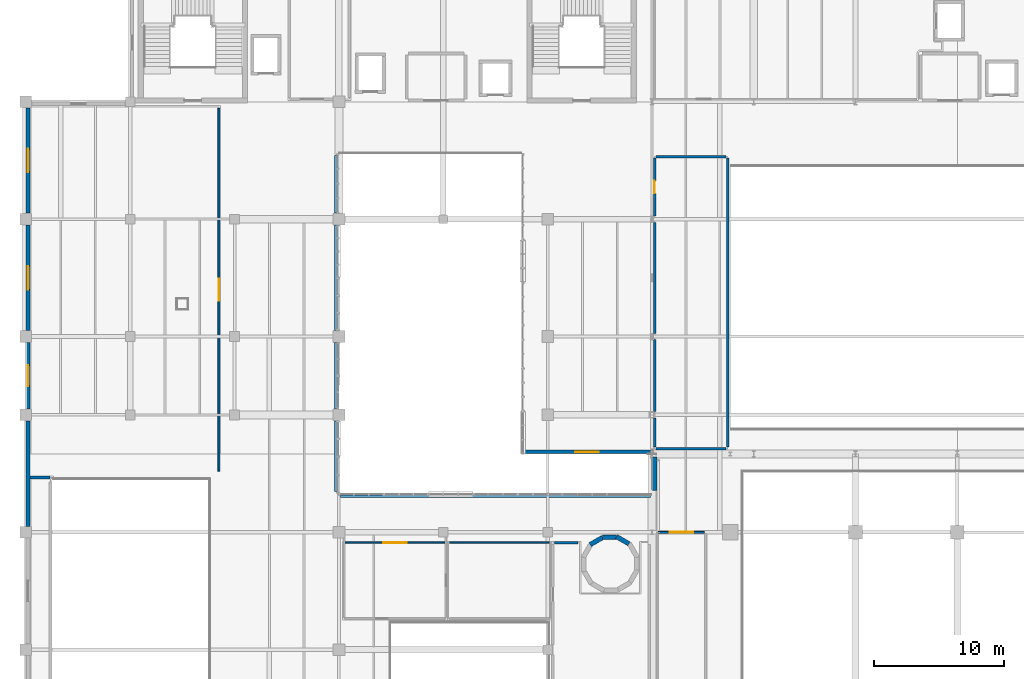
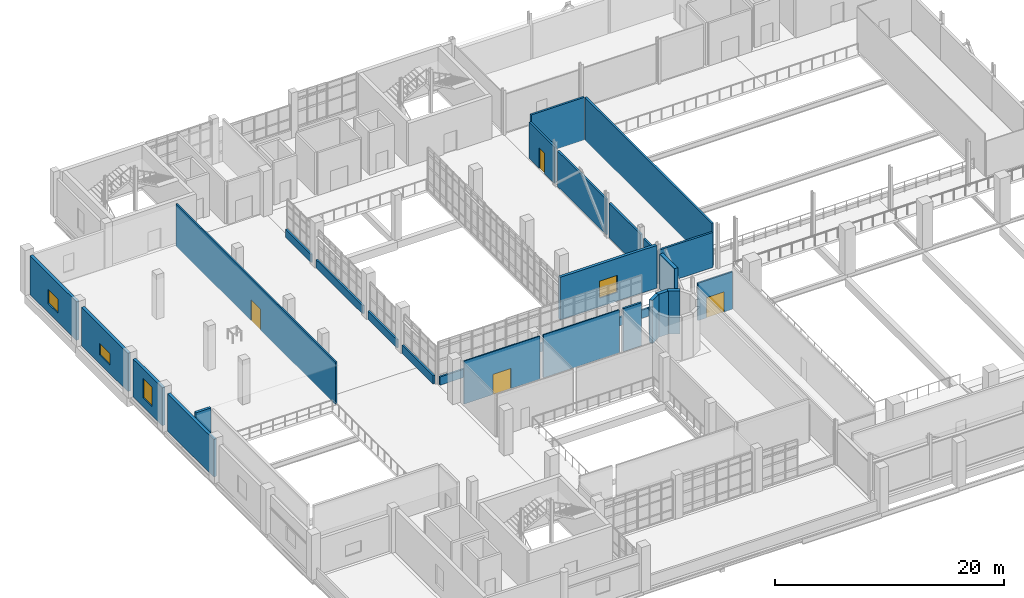
# One storey, part 91 of 102: 27 walls, 4 doors, 4 windows, 8 openings.
"""IFC4 building model written with IfcOpenShell, lengths in metres."""

from ifc_helpers import new_model, si_unit, derived_unit, direction, frame, frame_2d, origin, place, context, subcontext, project, spatial, rectangle, extrude, material, layer, layer_set, type_object, element, fill, save


model = new_model("IFC4")

# Units and contexts
model_context = context("Model", 3, precision=1e-05, world=origin(), true_north=direction((0.0, 1.0)))
body_context = subcontext(model_context, "Body", "Model", "MODEL_VIEW")
ifc_project = project(units=[si_unit("LENGTHUNIT", "METRE"), si_unit("AREAUNIT", "SQUARE_METRE"), si_unit("VOLUMEUNIT", "CUBIC_METRE"), si_unit("PLANEANGLEUNIT", "RADIAN"), si_unit("MASSUNIT", "GRAM", prefix="KILO"), derived_unit("THERMALTRANSMITTANCEUNIT", [(si_unit("POWERUNIT", "WATT"), 1), (si_unit("LENGTHUNIT", "METRE"), -2), (si_unit("THERMODYNAMICTEMPERATUREUNIT", "KELVIN"), -1)])], contexts=[model_context])

# Site, building, storey
site_placement = place(None, origin())
site = spatial("IfcSite", under=ifc_project, at=site_placement, CompositionType="ELEMENT")
building_placement = place(site_placement, origin())
building = spatial("IfcBuilding", under=site, at=building_placement, Name="Nallur Shell Playhouse", CompositionType="ELEMENT")
storey_placement = place(building_placement, frame((0.0, 0.0, 15.0)))
storey = spatial("IfcBuildingStorey", under=building, at=storey_placement, Name="L04", CompositionType="ELEMENT", Elevation=15.0)

# Walls
ifc_material_1 = material(Name="Concrete M45", Category="concrete")
ifc_layer_1 = layer(ifc_material_1, 0.39990234375)
ifc_layer_set_1 = layer_set([ifc_layer_1], Name="Concrete M45")
wall_type_1 = type_object("IfcWallType", Name="WL-CORE-400", PredefinedType="SHEAR", material=ifc_layer_set_1)
for number, where, z_axis, x_axis, name in (
    (1, (62.23291015625, 40.114990234375, 0.0), (0.0, 0.0, 1.0), (-0.866062834654, 0.499935162227, 0.0), "Metabolist service drum DR-1 facet 2 (L04)"),
    (2, (61.283447265625, 40.62841796875, 0.0), (0.0, 0.0, 1.0), (-1.0, 0.0, 0.0), "Metabolist service drum DR-1 facet 3 (L04)"),
    (3, (60.20458984375, 40.598388671875, 0.0), (0.0, 0.0, 1.0), (-0.86611865017, -0.499838457731, 0.0), "Metabolist service drum DR-1 facet 4 (L04)"),
):
    element("IfcWall", number, at=place(storey_placement, frame(where, z_axis=z_axis, x_axis=x_axis)), inside=storey, type_object=wall_type_1, Name=name, PredefinedType="SHEAR", context=body_context, shape_type="SweptSolid", body=[
        extrude(rectangle(XDim=1.093017578125, YDim=0.35009765625, at=frame_2d((0.54638671875, 0.0))), origin(), (0.0, 0.0, 1.0), 4.580078125),
    ])
ifc_material_2 = material(Name="Concrete M35", Category="concrete")
ifc_layer_2 = layer(ifc_material_2, 0.35009765625)
ifc_layer_set_2 = layer_set([ifc_layer_2], Name="Concrete M35")
wall_type_2 = type_object("IfcWallType", Name="WL-EXT-AC350", PredefinedType="STANDARD", material=ifc_layer_set_2)
wall_1_placement = place(storey_placement, frame((64.195068359375, 44.18505859375, 0.0), z_axis=(0.0, 0.0, 1.0), x_axis=(0.0, 1.0, 0.0)))
element("IfcWall", 4, at=wall_1_placement, inside=storey, type_object=wall_type_2, Name="L04 exterior wall EW-L04-203", PredefinedType="STANDARD", context=body_context, shape_type="SweptSolid", body=[
    extrude(rectangle(XDim=2.58203125, YDim=0.35009765625, at=frame_2d((1.291015625, 0.0))), origin(), (0.0, 0.0, 1.0), 3.735107421875),
])

# Wall, opening, window
ifc_material_3 = material(Name="Concrete M30", Category="concrete")
ifc_layer_3 = layer(ifc_material_3, 0.280029296875)
ifc_layer_set_3 = layer_set([ifc_layer_3], Name="Concrete M30")
wall_type_3 = type_object("IfcWallType", Name="WL-EXT-INS280", PredefinedType="STANDARD", material=ifc_layer_set_3)
wall_2_placement = place(storey_placement, frame((63.8759765625, 47.159912109375, 0.0), z_axis=(0.0, 0.0, 1.0), x_axis=(-1.0, 0.0, 0.0)))
wall_2 = element("IfcWall", 5, at=wall_2_placement, inside=storey, type_object=wall_type_3, Name="L04 exterior wall EW-L04-204", PredefinedType="STANDARD", context=body_context, shape_type="SweptSolid", body=[
    extrude(rectangle(XDim=9.72607421875, YDim=0.280029296875, at=frame_2d((4.863037109375, 0.0))), origin(), (0.0, 0.0, 1.0), 4.550048828125),
])
opening_1_placement = place(wall_2_placement, frame((3.97607421875, 0.0, 0.949951171875)))
opening_1 = element("IfcOpeningElement", 6, at=opening_1_placement, cuts=wall_2, Name="Opening WN-23", PredefinedType="OPENING", context=body_context, shape_type="SweptSolid", body=[
    extrude(rectangle(XDim=1.800048828125, YDim=1.800048828125, at=frame_2d((0.89990234375, 0.89990234375))), frame((0.0, 0.14990234375, 0.0), z_axis=(0.0, -1.0, 0.0), x_axis=(1.0, 0.0, 0.0)), (0.0, 0.0, 1.0), 0.300048828125),
])
ifc_material_4 = material(Name="Thermally Broken Aluminium Acoustic Double-Glazed Window", Category="aluminium")
window_type_1 = type_object("IfcWindowType", Name="WN-TYPE-23", PartitioningType="SINGLE_PANEL", PredefinedType="WINDOW", material=ifc_material_4)
window_1_placement = place(opening_1_placement, origin())
window_1 = element("IfcWindow", 7, at=window_1_placement, inside=storey, type_object=window_type_1, Name="L04 facade module window 087", OverallHeight=1.800048828125, OverallWidth=1.800048828125, PartitioningType="SINGLE_PANEL", PredefinedType="WINDOW", context=body_context, shape_type="SweptSolid", body=[
    extrude(rectangle(XDim=1.800048828125, YDim=1.800048828125, at=frame_2d((0.89990234375, 0.89990234375))), frame((0.0, 0.030029296875, 0.0), z_axis=(0.0, -1.0, 0.0), x_axis=(1.0, 0.0, 0.0)), (0.0, 0.0, 1.0), 0.06005859375),
])
fill(opening_1, window_1)

# Wall
ifc_layer_4 = layer(ifc_material_2, 0.300048828125)
ifc_layer_set_4 = layer_set([ifc_layer_4], Name="Concrete M35")
wall_type_4 = type_object("IfcWallType", Name="WL-EXT-RC300", PredefinedType="STANDARD", material=ifc_layer_set_4)
wall_3_placement = place(storey_placement, frame((16.169921875, 41.4580078125, 0.0), z_axis=(0.0, 0.0, 1.0), x_axis=(0.0, 1.0, 0.0)))
element("IfcWall", 8, at=wall_3_placement, inside=storey, type_object=wall_type_4, Name="L04 exterior wall EW-L04-199", PredefinedType="STANDARD", context=body_context, shape_type="SweptSolid", body=[
    extrude(rectangle(XDim=8.083984375, YDim=0.300048828125, at=frame_2d((4.0419921875, 0.0))), origin(), (0.0, 0.0, 1.0), 3.985107421875),
])

# Wall, opening, window
wall_4_placement = place(storey_placement, frame((16.169921875, 50.4580078125, 0.0), z_axis=(0.0, 0.0, 1.0), x_axis=(0.0, 1.0, 0.0)))
wall_4 = element("IfcWall", 9, at=wall_4_placement, inside=storey, type_object=wall_type_4, Name="L04 exterior wall EW-L04-200", PredefinedType="STANDARD", context=body_context, shape_type="SweptSolid", body=[
    extrude(rectangle(XDim=5.083984375, YDim=0.300048828125, at=frame_2d((2.5419921875, 0.0))), origin(), (0.0, 0.0, 1.0), 4.034912109375),
])
opening_2_placement = place(wall_4_placement, frame((1.741943359375, 0.0, 0.949951171875)))
opening_2 = element("IfcOpeningElement", 10, at=opening_2_placement, cuts=wall_4, Name="Opening WN-20", PredefinedType="OPENING", context=body_context, shape_type="SweptSolid", body=[
    extrude(rectangle(XDim=1.60009765625, YDim=2.10009765625, at=frame_2d((0.800048828125, 1.050048828125))), frame((0.0, 0.16015625, 0.0), z_axis=(0.0, -1.0, 0.0), x_axis=(1.0, 0.0, 0.0)), (0.0, 0.0, 1.0), 0.320068359375),
])
window_type_2 = type_object("IfcWindowType", Name="WN-TYPE-20", PartitioningType="SINGLE_PANEL", PredefinedType="WINDOW", material=ifc_material_4)
window_2_placement = place(opening_2_placement, origin())
window_2 = element("IfcWindow", 11, at=window_2_placement, inside=storey, type_object=window_type_2, Name="L04 facade module window 084", OverallHeight=2.10009765625, OverallWidth=1.60009765625, PartitioningType="SINGLE_PANEL", PredefinedType="WINDOW", context=body_context, shape_type="SweptSolid", body=[
    extrude(rectangle(XDim=1.60009765625, YDim=2.10009765625, at=frame_2d((0.800048828125, 1.050048828125))), frame((0.0, 0.030029296875, 0.0), z_axis=(0.0, -1.0, 0.0), x_axis=(1.0, 0.0, 0.0)), (0.0, 0.0, 1.0), 0.06005859375),
])
fill(opening_2, window_2)

wall_5_placement = place(storey_placement, frame((16.169921875, 56.4580078125, 0.0), z_axis=(0.0, 0.0, 1.0), x_axis=(0.0, 1.0, 0.0)))
wall_5 = element("IfcWall", 12, at=wall_5_placement, inside=storey, type_object=wall_type_4, Name="L04 exterior wall EW-L04-201", PredefinedType="STANDARD", context=body_context, shape_type="SweptSolid", body=[
    extrude(rectangle(XDim=8.083984375, YDim=0.300048828125, at=frame_2d((4.0419921875, 0.0))), origin(), (0.0, 0.0, 1.0), 4.0849609375),
])
opening_3_placement = place(wall_5_placement, frame((3.14208984375, 0.0, 0.949951171875)))
opening_3 = element("IfcOpeningElement", 13, at=opening_3_placement, cuts=wall_5, Name="Opening WN-21", PredefinedType="OPENING", context=body_context, shape_type="SweptSolid", body=[
    extrude(rectangle(XDim=1.800048828125, YDim=1.199951171875, at=frame_2d((0.89990234375, 0.60009765625))), frame((0.0, 0.16015625, 0.0), z_axis=(0.0, -1.0, 0.0), x_axis=(1.0, 0.0, 0.0)), (0.0, 0.0, 1.0), 0.320068359375),
])
window_type_3 = type_object("IfcWindowType", Name="WN-TYPE-21", PartitioningType="SINGLE_PANEL", PredefinedType="WINDOW", material=ifc_material_4)
window_3_placement = place(opening_3_placement, origin())
window_3 = element("IfcWindow", 14, at=window_3_placement, inside=storey, type_object=window_type_3, Name="L04 facade module window 085", OverallHeight=1.199951171875, OverallWidth=1.800048828125, PartitioningType="SINGLE_PANEL", PredefinedType="WINDOW", context=body_context, shape_type="SweptSolid", body=[
    extrude(rectangle(XDim=1.800048828125, YDim=1.199951171875, at=frame_2d((0.89990234375, 0.60009765625))), frame((0.0, 0.030029296875, 0.0), z_axis=(0.0, -1.0, 0.0), x_axis=(1.0, 0.0, 0.0)), (0.0, 0.0, 1.0), 0.06005859375),
])
fill(opening_3, window_3)

wall_6_placement = place(storey_placement, frame((16.169921875, 65.4580078125, 0.0), z_axis=(0.0, 0.0, 1.0), x_axis=(0.0, 1.0, 0.0)))
wall_6 = element("IfcWall", 15, at=wall_6_placement, inside=storey, type_object=wall_type_4, Name="L04 exterior wall EW-L04-202", PredefinedType="STANDARD", context=body_context, shape_type="SweptSolid", body=[
    extrude(rectangle(XDim=8.083984375, YDim=0.300048828125, at=frame_2d((4.0419921875, 0.0))), origin(), (0.0, 0.0, 1.0), 4.135009765625),
])
opening_4_placement = place(wall_6_placement, frame((3.14208984375, 0.0, 0.949951171875)))
opening_4 = element("IfcOpeningElement", 16, at=opening_4_placement, cuts=wall_6, Name="Opening WN-22", PredefinedType="OPENING", context=body_context, shape_type="SweptSolid", body=[
    extrude(rectangle(XDim=1.800048828125, YDim=1.5, at=frame_2d((0.89990234375, 0.75))), frame((0.0, 0.16015625, 0.0), z_axis=(0.0, -1.0, 0.0), x_axis=(1.0, 0.0, 0.0)), (0.0, 0.0, 1.0), 0.320068359375),
])
window_type_4 = type_object("IfcWindowType", Name="WN-TYPE-22", PartitioningType="SINGLE_PANEL", PredefinedType="WINDOW", material=ifc_material_4)
window_4_placement = place(opening_4_placement, origin())
window_4 = element("IfcWindow", 17, at=window_4_placement, inside=storey, type_object=window_type_4, Name="L04 facade module window 086", OverallHeight=1.5, OverallWidth=1.800048828125, PartitioningType="SINGLE_PANEL", PredefinedType="WINDOW", context=body_context, shape_type="SweptSolid", body=[
    extrude(rectangle(XDim=1.800048828125, YDim=1.5, at=frame_2d((0.89990234375, 0.75))), frame((0.0, 0.030029296875, 0.0), z_axis=(0.0, -1.0, 0.0), x_axis=(1.0, 0.0, 0.0)), (0.0, 0.0, 1.0), 0.06005859375),
])
fill(opening_4, window_4)

# Walls
ifc_layer_5 = layer(ifc_material_2, 0.179931640625)
ifc_layer_set_5 = layer_set([ifc_layer_5], Name="Concrete M35")
wall_type_5 = type_object("IfcWallType", Name="WL-PARAPET-180", PredefinedType="PARAPET", material=ifc_layer_set_5)
wall_7_placement = place(storey_placement, frame((39.760009765625, 69.8798828125, 0.0), z_axis=(0.0, 0.0, 1.0), x_axis=(0.0, -1.0, 0.0)))
element("IfcWall", 18, at=wall_7_placement, inside=storey, type_object=wall_type_5, Name="L04 curtain-wall internal spandrel upstand 058", PredefinedType="PARAPET", context=body_context, shape_type="SweptSolid", body=[
    extrude(rectangle(XDim=4.419921875, YDim=0.179931640625, at=frame_2d((2.2099609375, 0.0))), origin(), (0.0, 0.0, 1.0), 0.8798828125),
])
wall_8_placement = place(storey_placement, frame((39.760009765625, 64.5400390625, 0.0), z_axis=(0.0, 0.0, 1.0), x_axis=(0.0, -1.0, 0.0)))
element("IfcWall", 19, at=wall_8_placement, inside=storey, type_object=wall_type_5, Name="L04 curtain-wall internal spandrel upstand 059", PredefinedType="PARAPET", context=body_context, shape_type="SweptSolid", body=[
    extrude(rectangle(XDim=8.080078125, YDim=0.179931640625, at=frame_2d((4.0400390625, 0.0))), origin(), (0.0, 0.0, 1.0), 0.8798828125),
])
wall_9_placement = place(storey_placement, frame((39.760009765625, 55.5400390625, 0.0), z_axis=(0.0, 0.0, 1.0), x_axis=(0.0, -1.0, 0.0)))
element("IfcWall", 20, at=wall_9_placement, inside=storey, type_object=wall_type_5, Name="L04 curtain-wall internal spandrel upstand 060", PredefinedType="PARAPET", context=body_context, shape_type="SweptSolid", body=[
    extrude(rectangle(XDim=5.080078125, YDim=0.179931640625, at=frame_2d((2.5400390625, 0.0))), origin(), (0.0, 0.0, 1.0), 0.8798828125),
])
wall_10_placement = place(storey_placement, frame((39.760009765625, 49.5400390625, 0.0), z_axis=(0.0, 0.0, 1.0), x_axis=(0.0, -1.0, 0.0)))
element("IfcWall", 21, at=wall_10_placement, inside=storey, type_object=wall_type_5, Name="L04 curtain-wall internal spandrel upstand 061", PredefinedType="PARAPET", context=body_context, shape_type="SweptSolid", body=[
    extrude(rectangle(XDim=5.419921875, YDim=0.179931640625, at=frame_2d((2.7099609375, 0.0))), origin(), (0.0, 0.0, 1.0), 0.8798828125),
])
wall_11_placement = place(storey_placement, frame((40.1201171875, 43.760009765625, 0.0), z_axis=(0.0, 0.0, 1.0), x_axis=(1.0, 0.0, 0.0)))
element("IfcWall", 22, at=wall_11_placement, inside=storey, type_object=wall_type_5, Name="L04 curtain-wall internal spandrel upstand 062", PredefinedType="PARAPET", context=body_context, shape_type="SweptSolid", body=[
    extrude(rectangle(XDim=23.759765625, YDim=0.179931640625, at=frame_2d((11.8798828125, 0.0))), origin(), (0.0, 0.0, 1.0), 0.8798828125),
])
ifc_layer_6 = layer(ifc_material_3, 0.199951171875)
ifc_layer_set_6 = layer_set([ifc_layer_6], Name="Concrete M30")
wall_type_6 = type_object("IfcWallType", Name="WL-PART-AC200", PredefinedType="PARTITIONING", material=ifc_layer_set_6)
wall_12_placement = place(storey_placement, frame((56.52001953125, 40.199951171875, 0.0), z_axis=(0.0, 0.0, 1.0), x_axis=(1.0, 0.0, 0.0)))
element("IfcWall", 23, at=wall_12_placement, inside=storey, type_object=wall_type_6, Name="Upper Circle Espresso & Refreshment Kiosk partition IW-L04-0296", PredefinedType="PARTITIONING", context=body_context, shape_type="SweptSolid", body=[
    extrude(rectangle(XDim=1.81005859375, YDim=0.199951171875, at=frame_2d((0.905029296875, 0.0))), origin(), (0.0, 0.0, 1.0), 4.570068359375),
])
wall_13_placement = place(storey_placement, frame((64.320068359375, 69.800048828125, 0.0), z_axis=(0.0, 0.0, 1.0), x_axis=(1.0, 0.0, 0.0)))
element("IfcWall", 24, at=wall_13_placement, inside=storey, type_object=wall_type_6, Name="Stage Upper Counterweight Loading Gallery partition IW-L04-0317", PredefinedType="PARTITIONING", context=body_context, shape_type="SweptSolid", body=[
    extrude(rectangle(XDim=5.35986328125, YDim=0.199951171875, at=frame_2d((2.679931640625, 0.0))), origin(), (0.0, 0.0, 1.0), 4.5400390625),
])
wall_14_placement = place(storey_placement, frame((69.800048828125, 69.679931640625, 0.0), z_axis=(0.0, 0.0, 1.0), x_axis=(0.0, -1.0, 0.0)))
element("IfcWall", 25, at=wall_14_placement, inside=storey, type_object=wall_type_6, Name="Stage Upper Counterweight Loading Gallery partition IW-L04-0318", PredefinedType="PARTITIONING", context=body_context, shape_type="SweptSolid", body=[
    extrude(rectangle(XDim=22.159912109375, YDim=0.199951171875, at=frame_2d((11.080078125, 0.0))), origin(), (0.0, 0.0, 1.0), 4.5400390625),
])
wall_15_placement = place(storey_placement, frame((69.679931640625, 47.39990234375, 0.0), z_axis=(0.0, 0.0, 1.0), x_axis=(-1.0, 0.0, 0.0)))
element("IfcWall", 26, at=wall_15_placement, inside=storey, type_object=wall_type_6, Name="Stage Upper Counterweight Loading Gallery partition IW-L04-0319", PredefinedType="PARTITIONING", context=body_context, shape_type="SweptSolid", body=[
    extrude(rectangle(XDim=5.35986328125, YDim=0.199951171875, at=frame_2d((2.679931640625, 0.0))), origin(), (0.0, 0.0, 1.0), 3.72998046875),
])
wall_16_placement = place(storey_placement, frame((64.199951171875, 47.52001953125, 0.0), z_axis=(0.0, 0.0, 1.0), x_axis=(0.0, 1.0, 0.0)))
element("IfcWall", 27, at=wall_16_placement, inside=storey, type_object=wall_type_6, Name="Stage Upper Counterweight Loading Gallery partition IW-L04-0320", PredefinedType="PARTITIONING", context=body_context, shape_type="SweptSolid", body=[
    extrude(rectangle(XDim=2.239990234375, YDim=0.199951171875, at=frame_2d((1.1201171875, 0.0))), origin(), (0.0, 0.0, 1.0), 3.530029296875),
])
wall_17_placement = place(storey_placement, frame((64.199951171875, 50.239990234375, 0.0), z_axis=(0.0, 0.0, 1.0), x_axis=(0.0, 1.0, 0.0)))
element("IfcWall", 28, at=wall_17_placement, inside=storey, type_object=wall_type_6, Name="Stage Upper Counterweight Loading Gallery partition IW-L04-0321", PredefinedType="PARTITIONING", context=body_context, shape_type="SweptSolid", body=[
    extrude(rectangle(XDim=5.52001953125, YDim=0.199951171875, at=frame_2d((2.760009765625, 0.0))), origin(), (0.0, 0.0, 1.0), 3.679931640625),
])
wall_18_placement = place(storey_placement, frame((64.199951171875, 56.239990234375, 0.0), z_axis=(0.0, 0.0, 1.0), x_axis=(0.0, 1.0, 0.0)))
element("IfcWall", 29, at=wall_18_placement, inside=storey, type_object=wall_type_6, Name="Stage Upper Counterweight Loading Gallery partition IW-L04-0322", PredefinedType="PARTITIONING", context=body_context, shape_type="SweptSolid", body=[
    extrude(rectangle(XDim=8.52001953125, YDim=0.199951171875, at=frame_2d((4.260009765625, 0.0))), origin(), (0.0, 0.0, 1.0), 3.780029296875),
])

# Wall, opening, door
wall_19_placement = place(storey_placement, frame((64.199951171875, 65.239990234375, 0.0), z_axis=(0.0, 0.0, 1.0), x_axis=(0.0, 1.0, 0.0)))
wall_19 = element("IfcWall", 30, at=wall_19_placement, inside=storey, type_object=wall_type_6, Name="Stage Upper Counterweight Loading Gallery partition IW-L04-0323", PredefinedType="PARTITIONING", context=body_context, shape_type="SweptSolid", body=[
    extrude(rectangle(XDim=4.43994140625, YDim=0.199951171875, at=frame_2d((2.219970703125, 0.0))), origin(), (0.0, 0.0, 1.0), 3.8798828125),
])
opening_5_placement = place(wall_19_placement, frame((1.7451171875, 0.0, 0.0)))
opening_5 = element("IfcOpeningElement", 31, at=opening_5_placement, cuts=wall_19, Name="Opening ID-04", PredefinedType="OPENING", context=body_context, shape_type="SweptSolid", body=[
    extrude(rectangle(XDim=0.949951171875, YDim=2.14990234375, at=frame_2d((0.47509765625, 1.074951171875))), frame((0.0, 0.10986328125, 0.0), z_axis=(0.0, -1.0, 0.0), x_axis=(1.0, 0.0, 0.0)), (0.0, 0.0, 1.0), 0.219970703125),
])
ifc_material_5 = material(Name="Solid-Core Engineered Timber Door", Category="wood")
door_type_1 = type_object("IfcDoorType", Name="DR-INT-SGL950R", OperationType="SINGLE_SWING_RIGHT", PredefinedType="DOOR", material=ifc_material_5)
door_1_placement = place(opening_5_placement, origin())
door_1 = element("IfcDoor", 32, at=door_1_placement, inside=storey, type_object=door_type_1, Name="Stage Upper Counterweight Loading Gallery door 1", OperationType="SINGLE_SWING_RIGHT", OverallHeight=2.14990234375, OverallWidth=0.949951171875, PredefinedType="DOOR", context=body_context, shape_type="SweptSolid", body=[
    extrude(rectangle(XDim=0.949951171875, YDim=2.14990234375, at=frame_2d((0.47509765625, 1.074951171875))), frame((0.0, 0.02490234375, 0.0), z_axis=(0.0, -1.0, 0.0), x_axis=(1.0, 0.0, 0.0)), (0.0, 0.0, 1.0), 0.050048828125),
])
fill(opening_5, door_1)

# Wall
ifc_layer_7 = layer(ifc_material_3, 0.25)
ifc_layer_set_7 = layer_set([ifc_layer_7], Name="Concrete M30")
wall_type_7 = type_object("IfcWallType", Name="WL-PART-AC250", PredefinedType="PARTITIONING", material=ifc_layer_set_7)
wall_20_placement = place(storey_placement, frame((16.323974609375, 45.199951171875, 0.0), z_axis=(0.0, 0.0, 1.0), x_axis=(1.0, 0.0, 0.0)))
element("IfcWall", 33, at=wall_20_placement, inside=storey, type_object=wall_type_7, Name="Black-Box Tension Wire-Grid & Technical Catwalk partition IW-L04-0312", PredefinedType="PARTITIONING", context=body_context, shape_type="SweptSolid", body=[
    extrude(rectangle(XDim=1.531005859375, YDim=0.25, at=frame_2d((0.765625, 0.0))), origin(), (0.0, 0.0, 1.0), 4.5400390625),
])

# Wall, opening, door
ifc_material_6 = material(Name="Concrete M25 Fire Blockwork", Category="masonry")
ifc_layer_8 = layer(ifc_material_6, 0.14990234375)
ifc_layer_set_8 = layer_set([ifc_layer_8], Name="Concrete M25 Fire Blockwork")
wall_type_8 = type_object("IfcWallType", Name="WL-PART-FR150", PredefinedType="PARTITIONING", material=ifc_layer_set_8)
wall_21_placement = place(storey_placement, frame((64.4951171875, 41.0, 0.0), z_axis=(0.0, 0.0, 1.0), x_axis=(1.0, 0.0, 0.0)))
wall_21 = element("IfcWall", 34, at=wall_21_placement, inside=storey, type_object=wall_type_8, Name="Upper Circle Donors & Composers Lounge partition IW-L04-0289", PredefinedType="PARTITIONING", context=body_context, shape_type="SweptSolid", body=[
    extrude(rectangle(XDim=3.509765625, YDim=0.14990234375, at=frame_2d((1.7548828125, 0.0))), origin(), (0.0, 0.0, 1.0), 3.97998046875),
])
opening_6_placement = place(wall_21_placement, frame((0.85498046875, 0.0, 0.0)))
opening_6 = element("IfcOpeningElement", 35, at=opening_6_placement, cuts=wall_21, Name="Opening FD-FL1", PredefinedType="OPENING", context=body_context, shape_type="SweptSolid", body=[
    extrude(rectangle(XDim=1.800048828125, YDim=2.14990234375, at=frame_2d((0.89990234375, 1.074951171875))), frame((0.0, 0.0849609375, 0.0), z_axis=(0.0, -1.0, 0.0), x_axis=(1.0, 0.0, 0.0)), (0.0, 0.0, 1.0), 0.169921875),
])
ifc_material_7 = material(Name="Firefighting Lobby Smoke-Seal Double Door")
door_type_2 = type_object("IfcDoorType", Name="DR-INT-FFL-DBL", OperationType="DOUBLE_DOOR_SINGLE_SWING", PredefinedType="DOOR", material=ifc_material_7)
door_2_placement = place(opening_6_placement, origin())
door_2 = element("IfcDoor", 36, at=door_2_placement, inside=storey, type_object=door_type_2, Name="L04 circulation link door 0094", OperationType="DOUBLE_DOOR_SINGLE_SWING", OverallHeight=2.14990234375, OverallWidth=1.800048828125, PredefinedType="DOOR", context=body_context, shape_type="SweptSolid", body=[
    extrude(rectangle(XDim=1.800048828125, YDim=2.14990234375, at=frame_2d((0.89990234375, 1.074951171875))), frame((0.0, 0.02490234375, 0.0), z_axis=(0.0, -1.0, 0.0), x_axis=(1.0, 0.0, 0.0)), (0.0, 0.0, 1.0), 0.050048828125),
])
fill(opening_6, door_2)

wall_22_placement = place(storey_placement, frame((30.800048828125, 73.5048828125, 0.0), z_axis=(0.0, 0.0, 1.0), x_axis=(0.0, -1.0, 0.0)))
wall_22 = element("IfcWall", 37, at=wall_22_placement, inside=storey, type_object=wall_type_8, Name="Full-Stage Rehearsal Hall 01 partition IW-L04-0313", PredefinedType="PARTITIONING", context=body_context, shape_type="SweptSolid", body=[
    extrude(rectangle(XDim=27.809814453125, YDim=0.14990234375, at=frame_2d((13.90478515625, 0.0))), origin(), (0.0, 0.0, 1.0), 4.5400390625),
])
opening_7_placement = place(wall_22_placement, frame((13.054931640625, 0.0, 0.0)))
opening_7 = element("IfcOpeningElement", 38, at=opening_7_placement, cuts=wall_22, Name="Opening RD-01", PredefinedType="OPENING", context=body_context, shape_type="SweptSolid", body=[
    extrude(rectangle(XDim=1.699951171875, YDim=2.25, at=frame_2d((0.85009765625, 1.125))), frame((0.0, 0.0849609375, 0.0), z_axis=(0.0, -1.0, 0.0), x_axis=(1.0, 0.0, 0.0)), (0.0, 0.0, 1.0), 0.169921875),
])
ifc_material_8 = material(Name="Rehearsal Hall Acoustic Double Door")
door_type_3 = type_object("IfcDoorType", Name="DR-INT-RHL-DBL", OperationType="DOUBLE_DOOR_SINGLE_SWING", PredefinedType="DOOR", material=ifc_material_8)
door_3_placement = place(opening_7_placement, origin())
door_3 = element("IfcDoor", 39, at=door_3_placement, inside=storey, type_object=door_type_3, Name="Full-Stage Rehearsal Hall 01 door 1", OperationType="DOUBLE_DOOR_SINGLE_SWING", OverallHeight=2.25, OverallWidth=1.699951171875, PredefinedType="DOOR", context=body_context, shape_type="SweptSolid", body=[
    extrude(rectangle(XDim=1.699951171875, YDim=2.25, at=frame_2d((0.85009765625, 1.125))), frame((0.0, 0.02490234375, 0.0), z_axis=(0.0, -1.0, 0.0), x_axis=(1.0, 0.0, 0.0)), (0.0, 0.0, 1.0), 0.050048828125),
])
fill(opening_7, door_3)

ifc_layer_9 = layer(ifc_material_6, 0.1201171875)
ifc_layer_set_9 = layer_set([ifc_layer_9], Name="Concrete M25 Fire Blockwork")
wall_type_9 = type_object("IfcWallType", Name="WL-PART-WET120", PredefinedType="PARTITIONING", material=ifc_layer_set_9)
wall_23_placement = place(storey_placement, frame((40.47998046875, 40.199951171875, 0.0), z_axis=(0.0, 0.0, 1.0), x_axis=(1.0, 0.0, 0.0)))
wall_23 = element("IfcWall", 40, at=wall_23_placement, inside=storey, type_object=wall_type_9, Name="Upper Circle Male Restroom partition IW-L04-0331", PredefinedType="PARTITIONING", context=body_context, shape_type="SweptSolid", body=[
    extrude(rectangle(XDim=7.64013671875, YDim=0.1201171875, at=frame_2d((3.820068359375, 0.0))), origin(), (0.0, 0.0, 1.0), 4.570068359375),
])
opening_8_placement = place(wall_23_placement, frame((2.919921875, 0.0, 0.0)))
opening_8 = element("IfcOpeningElement", 41, at=opening_8_placement, cuts=wall_23, Name="Opening FD-FL1", PredefinedType="OPENING", context=body_context, shape_type="SweptSolid", body=[
    extrude(rectangle(XDim=1.800048828125, YDim=2.14990234375, at=frame_2d((0.89990234375, 1.074951171875))), frame((0.0, 0.070068359375, 0.0), z_axis=(0.0, -1.0, 0.0), x_axis=(1.0, 0.0, 0.0)), (0.0, 0.0, 1.0), 0.14013671875),
])
door_4_placement = place(opening_8_placement, origin())
door_4 = element("IfcDoor", 42, at=door_4_placement, inside=storey, type_object=door_type_2, Name="L04 circulation link door 0095", OperationType="DOUBLE_DOOR_SINGLE_SWING", OverallHeight=2.14990234375, OverallWidth=1.800048828125, PredefinedType="DOOR", context=body_context, shape_type="SweptSolid", body=[
    extrude(rectangle(XDim=1.800048828125, YDim=2.14990234375, at=frame_2d((0.89990234375, 1.074951171875))), frame((0.0, 0.02490234375, 0.0), z_axis=(0.0, -1.0, 0.0), x_axis=(1.0, 0.0, 0.0)), (0.0, 0.0, 1.0), 0.050048828125),
])
fill(opening_8, door_4)

# Wall
wall_24_placement = place(storey_placement, frame((48.47998046875, 40.199951171875, 0.0), z_axis=(0.0, 0.0, 1.0), x_axis=(1.0, 0.0, 0.0)))
element("IfcWall", 43, at=wall_24_placement, inside=storey, type_object=wall_type_9, Name="Upper Circle Female Restroom partition IW-L04-0335", PredefinedType="PARTITIONING", context=body_context, shape_type="SweptSolid", body=[
    extrude(rectangle(XDim=7.64013671875, YDim=0.1201171875, at=frame_2d((3.820068359375, 0.0))), origin(), (0.0, 0.0, 1.0), 4.570068359375),
])

save(model, "model.ifc")
